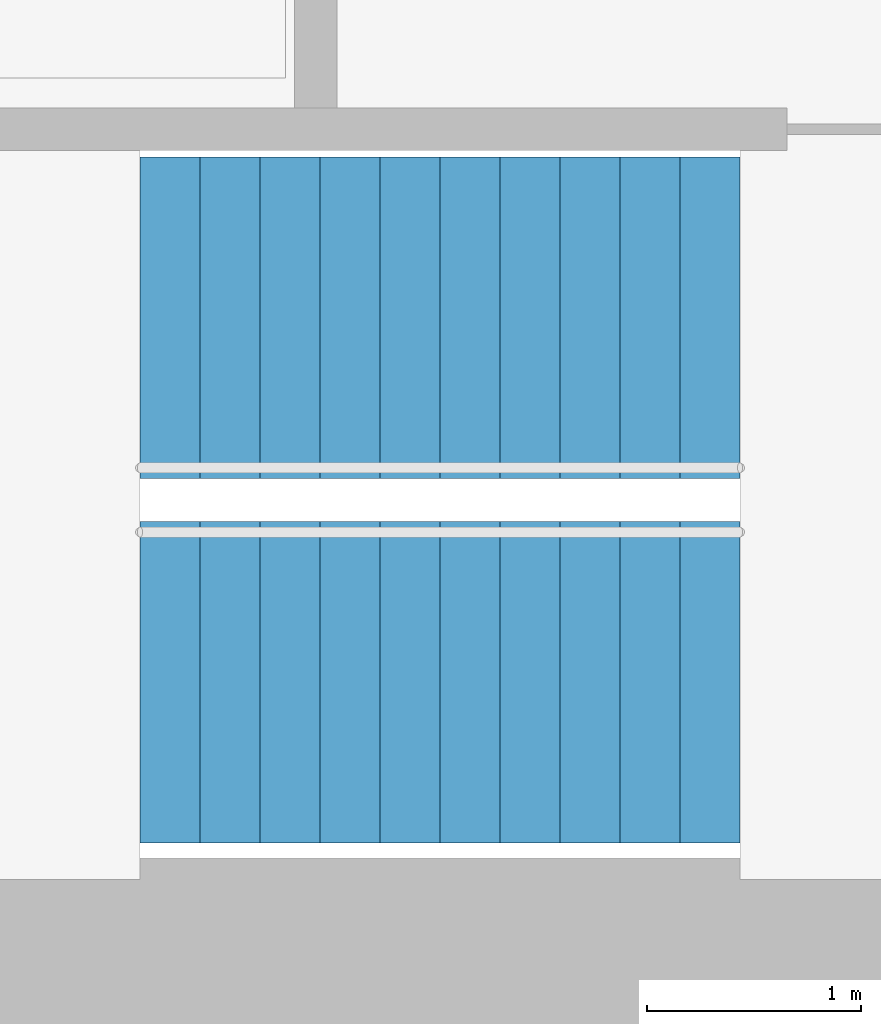
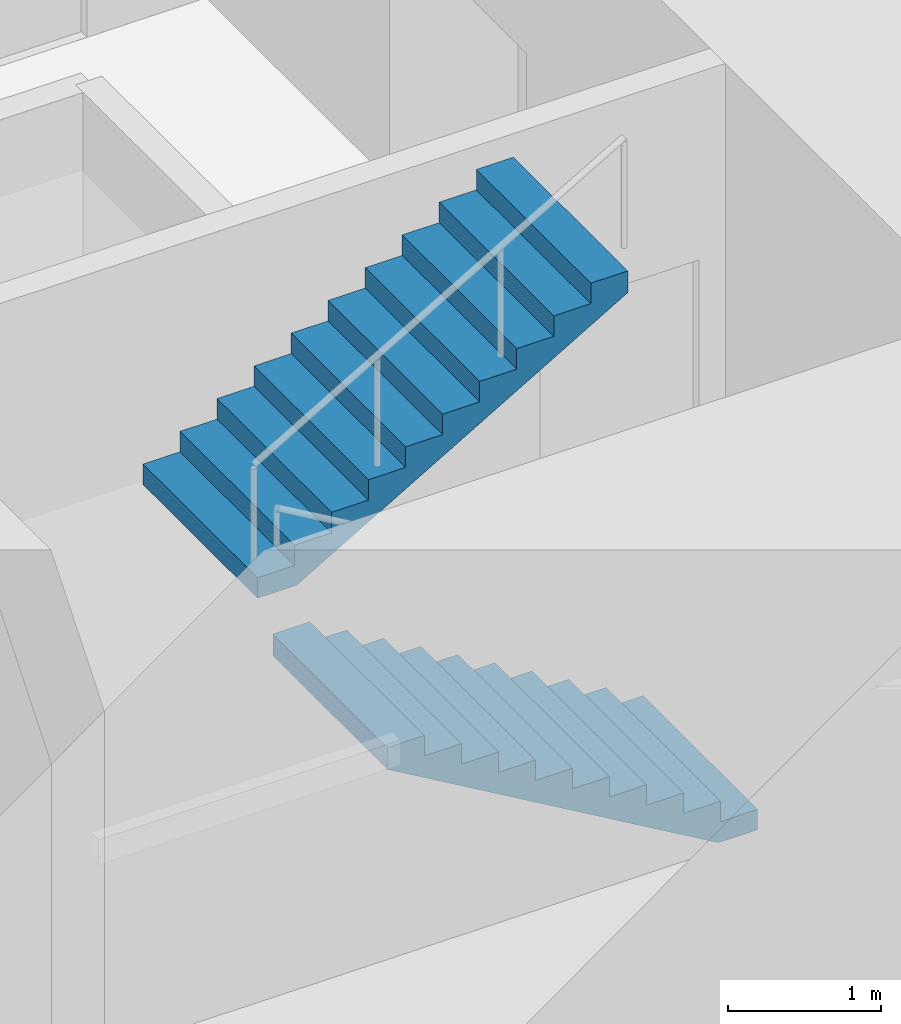
# One storey, part 15 of 17: 2 stair flights, 1 element without a shape of its own.
"""IFC4 building model written with IfcOpenShell, lengths in metres."""

import ifcopenshell
import ifcopenshell.guid

model = None  # the IFC model being written
_history = None  # IfcOwnerHistory: only IFC2X3 demands one
_inside = {}  # id of a spatial element -> (the spatial element, [elements in it])
_under = {}  # id of a project, library or spatial element -> (it, [spatial elements below it])
_declared = {}  # id of a project -> (the project, [libraries it declares])
_typed = {}  # id of a type object -> (the type object, [elements of that type])
_made_of = {}  # id of a material, layer set ... -> (it, [elements and type objects made of it])


def new_model(schema):
    """Start an empty IFC model of exactly this schema.

    Asked for "IFC4X3", IfcOpenShell would pick the latest addendum, in which some entities
    have other attributes; the version numbers below select the first issue.
    IFC2X3 requires an IfcOwnerHistory on every rooted entity: one is made here for all.
    """
    global model, _history
    if schema == "IFC4X3":
        model = ifcopenshell.file(schema_version=(4, 3, 0, 0))
    else:
        model = ifcopenshell.file(schema=schema)
    _inside.clear()
    _under.clear()
    _declared.clear()
    _typed.clear()
    _made_of.clear()
    _history = None
    if model.schema == "IFC2X3":
        org = make("IfcOrganization", Name="unknown")
        user = make(
            "IfcPersonAndOrganization",
            ThePerson=make("IfcPerson", FamilyName="unknown"),
            TheOrganization=org,
        )
        app = make(
            "IfcApplication",
            ApplicationDeveloper=org,
            Version="unknown",
            ApplicationFullName="unknown",
            ApplicationIdentifier="unknown",
        )
        _history = make(
            "IfcOwnerHistory",
            OwningUser=user,
            OwningApplication=app,
            ChangeAction="ADDED",
            CreationDate=0,
        )
    return model


def make(cls, **values):
    """One entity of the class cls with the attributes given. An attribute that is None is left unset."""
    return model.create_entity(
        cls, **{name: value for name, value in values.items() if value is not None}
    )


def rooted(cls, **values):
    """An entity with a GlobalId (a new one), such as an element, a storey or a relation."""
    return make(cls, GlobalId=ifcopenshell.guid.new(), OwnerHistory=_history, **values)


def si_unit(unit_type, name, prefix=None):
    """IfcSIUnit, for example si_unit("LENGTHUNIT", "METRE", prefix="MILLI")."""
    return make("IfcSIUnit", UnitType=unit_type, Prefix=prefix, Name=name)


def assignment(units):
    """IfcUnitAssignment: the units of a project."""
    return None if units is None else make("IfcUnitAssignment", Units=units)


def point(xyz):
    """IfcCartesianPoint."""
    return None if xyz is None else make("IfcCartesianPoint", Coordinates=xyz)


def direction(xyz):
    """IfcDirection."""
    return None if xyz is None else make("IfcDirection", DirectionRatios=xyz)


def frame(location, z_axis=None, x_axis=None):
    """IfcAxis2Placement3D, a coordinate frame: its origin and axes. An axis left out is left unset."""
    return make(
        "IfcAxis2Placement3D",
        Location=point(location),
        Axis=direction(z_axis),
        RefDirection=direction(x_axis),
    )


def origin():
    """The frame at (0, 0, 0) with its axes left unset."""
    return frame((0.0, 0.0, 0.0))


def place(relative_to, where):
    """IfcLocalPlacement: puts the frame where relative to a parent placement (None: the world)."""
    return make(
        "IfcLocalPlacement", PlacementRelTo=relative_to, RelativePlacement=where
    )


def context(
    kind, dimensions, precision=None, world=None, true_north=None, identifier=None
):
    """IfcGeometricRepresentationContext, for example the 3D "Model" context."""
    return make(
        "IfcGeometricRepresentationContext",
        ContextIdentifier=identifier,
        ContextType=kind,
        CoordinateSpaceDimension=dimensions,
        Precision=precision,
        WorldCoordinateSystem=world,
        TrueNorth=true_north,
    )


def subcontext(parent, identifier, kind, view, scale=None):
    """IfcGeometricRepresentationSubContext, for example "Body" below "Model"."""
    return make(
        "IfcGeometricRepresentationSubContext",
        ContextIdentifier=identifier,
        ContextType=kind,
        ParentContext=parent,
        TargetScale=scale,
        TargetView=view,
    )


def project(units=None, contexts=None):
    """IfcProject with its units and contexts."""
    return rooted(
        "IfcProject",
        Name="project",
        RepresentationContexts=contexts,
        UnitsInContext=assignment(units),
    )


def spatial(cls, under=None, at=None, **own):
    """A site, building, storey or space (cls), placed at a placement, below another one or the project."""
    s = rooted(cls, ObjectPlacement=at, **own)
    if under is not None:
        _under.setdefault(under.id(), (under, []))[1].append(s)
    return s


def point_list(points):
    """IfcCartesianPointList2D or 3D."""
    cls = (
        "IfcCartesianPointList2D" if len(points[0]) == 2 else "IfcCartesianPointList3D"
    )
    return make(cls, CoordList=points)


def triangles(points, corners, closed=None, point_numbers=None):
    """IfcTriangulatedFaceSet: each triangle names its three corners, points numbered from 1."""
    return make(
        "IfcTriangulatedFaceSet",
        Coordinates=point_list(points),
        Closed=closed,
        CoordIndex=corners,
        PnIndex=point_numbers,
    )


def shape(context_of_items, identifier, shape_type, items):
    """IfcShapeRepresentation: the items that make up one representation, for example the "Body"."""
    return make(
        "IfcShapeRepresentation",
        ContextOfItems=context_of_items,
        RepresentationIdentifier=identifier,
        RepresentationType=shape_type,
        Items=items,
    )


def material(Name=None, Category=None):
    """IfcMaterial."""
    return make("IfcMaterial", Name=Name, Category=Category)


def made_of(thing, what):
    """Note that an element or type object is made of a material, layer set ...; save() writes the relation."""
    if what is not None:
        _made_of.setdefault(what.id(), (what, []))[1].append(thing)
    return thing


def type_object(cls, material=None, **own):
    """A type object (cls), such as IfcWallType, which elements share."""
    return made_of(rooted(cls, **own), material)


def element(
    cls,
    number,
    at=None,
    inside=None,
    cuts=None,
    type_object=None,
    material=None,
    context=None,
    identifier="Body",
    shape_type=None,
    held_by="IfcProductDefinitionShape",
    body=None,
    shapes=None,
    **own,
):
    """One element of the class cls, such as IfcWall. Its Tag is "e" and its number.

    at: its placement. inside: the storey or other place that contains it. cuts: it is an
    opening in that element (IfcRelVoidsElement). A single representation is given by context,
    identifier, shape_type and body (its items); several are given by shapes. held_by: the class
    of the entity that holds the representations. save() writes the other relations.
    """
    e = rooted(cls, Tag="e%d" % number, ObjectPlacement=at, **own)
    if body is not None:
        shapes = [shape(context, identifier, shape_type, body)]
    if shapes is not None:
        e.Representation = make(held_by, Representations=shapes)
    if inside is not None:
        _inside.setdefault(inside.id(), (inside, []))[1].append(e)
    if cuts is not None:
        rooted(
            "IfcRelVoidsElement", RelatingBuildingElement=cuts, RelatedOpeningElement=e
        )
    if type_object is not None:
        _typed.setdefault(type_object.id(), (type_object, []))[1].append(e)
    return made_of(e, material)


def aggregate(whole, parts):
    """IfcRelAggregates: a whole, such as a stair, and the parts it consists of."""
    return rooted("IfcRelAggregates", RelatingObject=whole, RelatedObjects=parts)


def save(model, path):
    """Write the relations noted so far, then the file.

    IfcRelAggregates (storeys below a building ...), IfcRelContainedInSpatialStructure (elements
    in a storey), IfcRelDefinesByType, IfcRelAssociatesMaterial and IfcRelDeclares: one each for
    every whole, place, type object, material and project.
    """
    for whole, parts in _under.values():
        aggregate(whole, parts)
    for where, things in _inside.values():
        rooted(
            "IfcRelContainedInSpatialStructure",
            RelatedElements=things,
            RelatingStructure=where,
        )
    for kind, things in _typed.values():
        rooted("IfcRelDefinesByType", RelatedObjects=things, RelatingType=kind)
    for what, things in _made_of.values():
        rooted("IfcRelAssociatesMaterial", RelatedObjects=things, RelatingMaterial=what)
    for by, libraries in _declared.values():
        rooted("IfcRelDeclares", RelatingContext=by, RelatedDefinitions=libraries)
    model.write(path)


model = new_model("IFC4")

# Units and contexts
model_context = context("Model", 3, precision=1e-05, world=origin(), true_north=direction((0.0, 1.0)))
body_context = subcontext(model_context, "Body", "Model", "MODEL_VIEW")
ifc_project = project(units=[si_unit("LENGTHUNIT", "METRE"), si_unit("AREAUNIT", "SQUARE_METRE"), si_unit("VOLUMEUNIT", "CUBIC_METRE"), si_unit("PLANEANGLEUNIT", "RADIAN"), si_unit("MASSUNIT", "GRAM", prefix="KILO")], contexts=[model_context])

# Site, building, storey
site_placement = place(None, origin())
site = spatial("IfcSite", under=ifc_project, at=site_placement, CompositionType="ELEMENT")
building_placement = place(site_placement, origin())
building = spatial("IfcBuilding", under=site, at=building_placement, Name="Lantaw Convention Tower", CompositionType="ELEMENT")
storey_placement = place(building_placement, frame((0.0, 0.0, 69.39990234375)))
storey = spatial("IfcBuildingStorey", under=building, at=storey_placement, Name="L15", CompositionType="ELEMENT", Elevation=69.39990234375)

# Stair, stair flights
ifc_material = material(Name="Concrete C35/45", Category="concrete")
stair_type = type_object("IfcStairType", Name="Exit stair 1500 riser 163.64 in 2 flights", PredefinedType="HALF_TURN_STAIR", material=ifc_material)
stair_placement = place(storey_placement, origin())
stair = element("IfcStair", 1, at=stair_placement, inside=storey, type_object=stair_type, Name="Exit stair S2 L15", PredefinedType="HALF_TURN_STAIR")
stair_flight_type = type_object("IfcStairFlightType", Name="Stair flight 1500 riser 163.64", PredefinedType="STRAIGHT", material=ifc_material)
stair_flight_1_placement = place(storey_placement, frame((10.580078125, -5.97998046875, 0.0), z_axis=(0.0, 0.0, 1.0), x_axis=(-1.0, 0.0, 0.0)))
stair_flight_1 = element("IfcStairFlight", 2, at=stair_flight_1_placement, type_object=stair_flight_type, Name="S2 flight 1", NumberOfRisers=11, NumberOfTreads=10, PredefinedType="STRAIGHT", RiserHeight=0.163636364, TreadLength=0.28, context=body_context, shape_type="Tessellation", body=[
    triangles([(0.0, 0.75, 0.0), (0.0, 0.75, 0.163636364), (0.28, 0.75, 0.0), (0.28, 0.75, 0.163636364), (0.28, 0.75, 0.327272728), (0.2970904571225277, 0.75, 0.0), (0.2970904571225277, 0.75, 0.327272728), (0.56, 0.75, 0.1536484344906131), (0.56, 0.75, 0.327272728), (0.56, 0.75, 0.490909092), (0.8400000000000001, 0.75, 0.3172847984906131), (0.8400000000000001, 0.75, 0.490909092), (0.8400000000000001, 0.75, 0.654545456), (1.12, 0.75, 0.4809211624906131), (1.12, 0.75, 0.654545456), (1.12, 0.75, 0.8181818200000001), (1.4000000000000001, 0.75, 0.6445575264906132), (1.4000000000000001, 0.75, 0.8181818200000001), (1.4000000000000001, 0.75, 0.981818184), (1.6800000000000002, 0.75, 0.8081938904906131), (1.6800000000000002, 0.75, 0.981818184), (1.6800000000000002, 0.75, 1.145454548), (1.9600000000000002, 0.75, 0.9718302544906131), (1.9600000000000002, 0.75, 1.145454548), (1.9600000000000002, 0.75, 1.309090912), (2.24, 0.75, 1.135466618490613), (2.24, 0.75, 1.309090912), (2.24, 0.75, 1.472727276), (2.5200000000000005, 0.75, 1.2991029824906133), (2.5200000000000005, 0.75, 1.472727276), (2.5200000000000005, 0.75, 1.6363636400000001), (2.8000000000000003, 0.75, 1.462739346490613), (2.8000000000000003, 0.75, 1.6363636400000001), (0.0, -0.75, 0.0), (0.0, -0.75, 0.163636364), (0.28, -0.75, 0.0), (0.28, -0.75, 0.163636364), (0.28, -0.75, 0.327272728), (0.2970904571225277, -0.75, 0.0), (0.2970904571225277, -0.75, 0.327272728), (0.56, -0.75, 0.1536484344906131), (0.56, -0.75, 0.327272728), (0.56, -0.75, 0.490909092), (0.8400000000000001, -0.75, 0.3172847984906131), (0.8400000000000001, -0.75, 0.490909092), (0.8400000000000001, -0.75, 0.654545456), (1.12, -0.75, 0.4809211624906131), (1.12, -0.75, 0.654545456), (1.12, -0.75, 0.8181818200000001), (1.4000000000000001, -0.75, 0.6445575264906132), (1.4000000000000001, -0.75, 0.8181818200000001), (1.4000000000000001, -0.75, 0.981818184), (1.6800000000000002, -0.75, 0.8081938904906131), (1.6800000000000002, -0.75, 0.981818184), (1.6800000000000002, -0.75, 1.145454548), (1.9600000000000002, -0.75, 0.9718302544906131), (1.9600000000000002, -0.75, 1.145454548), (1.9600000000000002, -0.75, 1.309090912), (2.24, -0.75, 1.135466618490613), (2.24, -0.75, 1.309090912), (2.24, -0.75, 1.472727276), (2.5200000000000005, -0.75, 1.2991029824906133), (2.5200000000000005, -0.75, 1.472727276), (2.5200000000000005, -0.75, 1.6363636400000001), (2.8000000000000003, -0.75, 1.462739346490613), (2.8000000000000003, -0.75, 1.6363636400000001), (0.0, 0.15000000000000002, 0.163636364), (0.0, 0.15000000000000002, 0.0), (0.0, 0.0, 0.163636364), (0.0, 0.0, 0.0), (0.0, -0.15000000000000002, 0.163636364), (0.0, -0.15000000000000002, 0.0), (0.28, 0.15000000000000002, 0.327272728), (0.28, 0.15000000000000002, 0.163636364), (0.28, 0.0, 0.327272728), (0.28, 0.0, 0.163636364), (0.28, -0.15000000000000002, 0.327272728), (0.28, -0.15000000000000002, 0.163636364), (0.56, 0.15000000000000002, 0.490909092), (0.56, 0.15000000000000002, 0.327272728), (0.56, 0.0, 0.490909092), (0.56, 0.0, 0.327272728), (0.56, -0.15000000000000002, 0.490909092), (0.56, -0.15000000000000002, 0.327272728), (0.8400000000000001, 0.15000000000000002, 0.654545456), (0.8400000000000001, 0.15000000000000002, 0.490909092), (0.8400000000000001, 0.0, 0.654545456), (0.8400000000000001, 0.0, 0.490909092), (0.8400000000000001, -0.15000000000000002, 0.654545456), (0.8400000000000001, -0.15000000000000002, 0.490909092), (1.12, 0.15000000000000002, 0.8181818200000001), (1.12, 0.15000000000000002, 0.654545456), (1.12, 0.0, 0.8181818200000001), (1.12, 0.0, 0.654545456), (1.12, -0.15000000000000002, 0.8181818200000001), (1.12, -0.15000000000000002, 0.654545456), (1.4000000000000001, 0.15000000000000002, 0.981818184), (1.4000000000000001, 0.15000000000000002, 0.8181818200000001), (1.4000000000000001, 0.0, 0.981818184), (1.4000000000000001, 0.0, 0.8181818200000001), (1.4000000000000001, -0.15000000000000002, 0.981818184), (1.4000000000000001, -0.15000000000000002, 0.8181818200000001), (1.6800000000000002, 0.15000000000000002, 1.145454548), (1.6800000000000002, 0.15000000000000002, 0.981818184), (1.6800000000000002, 0.0, 1.145454548), (1.6800000000000002, 0.0, 0.981818184), (1.6800000000000002, -0.15000000000000002, 1.145454548), (1.6800000000000002, -0.15000000000000002, 0.981818184), (1.9600000000000002, 0.15000000000000002, 1.309090912), (1.9600000000000002, 0.15000000000000002, 1.145454548), (1.9600000000000002, 0.0, 1.309090912), (1.9600000000000002, 0.0, 1.145454548), (1.9600000000000002, -0.15000000000000002, 1.309090912), (1.9600000000000002, -0.15000000000000002, 1.145454548), (2.24, 0.15000000000000002, 1.472727276), (2.24, 0.15000000000000002, 1.309090912), (2.24, 0.0, 1.472727276), (2.24, 0.0, 1.309090912), (2.24, -0.15000000000000002, 1.472727276), (2.24, -0.15000000000000002, 1.309090912), (2.5200000000000005, 0.15000000000000002, 1.6363636400000001), (2.5200000000000005, 0.15000000000000002, 1.472727276), (2.5200000000000005, 0.0, 1.6363636400000001), (2.5200000000000005, 0.0, 1.472727276), (2.5200000000000005, -0.15000000000000002, 1.6363636400000001), (2.5200000000000005, -0.15000000000000002, 1.472727276), (0.2970904571225277, 0.15000000000000002, 0.327272728), (0.2970904571225277, 0.0, 0.327272728), (0.2970904571225277, -0.15000000000000002, 0.327272728), (2.8000000000000003, 0.15000000000000002, 1.6363636400000001), (2.8000000000000003, 0.0, 1.6363636400000001), (2.8000000000000003, -0.15000000000000002, 1.6363636400000001), (2.8000000000000003, 0.15000000000000002, 1.462739346490613), (2.8000000000000003, 0.0, 1.462739346490613), (2.8000000000000003, -0.15000000000000002, 1.462739346490613), (2.5200000000000005, 0.15000000000000002, 1.2991029824906133), (2.5200000000000005, 0.0, 1.2991029824906133), (2.5200000000000005, -0.15000000000000002, 1.2991029824906133), (2.24, 0.15000000000000002, 1.135466618490613), (2.24, 0.0, 1.135466618490613), (2.24, -0.15000000000000002, 1.135466618490613), (1.9600000000000002, 0.15000000000000002, 0.9718302544906131), (1.9600000000000002, 0.0, 0.9718302544906131), (1.9600000000000002, -0.15000000000000002, 0.9718302544906131), (1.6800000000000002, 0.15000000000000002, 0.8081938904906131), (1.6800000000000002, 0.0, 0.8081938904906131), (1.6800000000000002, -0.15000000000000002, 0.8081938904906131), (1.4000000000000001, 0.15000000000000002, 0.6445575264906132), (1.4000000000000001, 0.0, 0.6445575264906132), (1.4000000000000001, -0.15000000000000002, 0.6445575264906132), (1.12, 0.15000000000000002, 0.4809211624906131), (1.12, 0.0, 0.4809211624906131), (1.12, -0.15000000000000002, 0.4809211624906131), (0.8400000000000001, 0.15000000000000002, 0.3172847984906131), (0.8400000000000001, 0.0, 0.3172847984906131), (0.8400000000000001, -0.15000000000000002, 0.3172847984906131), (0.56, 0.15000000000000002, 0.1536484344906131), (0.56, 0.0, 0.1536484344906131), (0.56, -0.15000000000000002, 0.1536484344906131), (0.2970904571225277, 0.15000000000000002, 0.0), (0.2970904571225277, 0.0, 0.0), (0.2970904571225277, -0.15000000000000002, 0.0), (0.28, 0.15000000000000002, 0.0), (0.28, 0.0, 0.0), (0.28, -0.15000000000000002, 0.0)], [[1, 4, 3], [1, 2, 4], [3, 4, 6], [4, 7, 6], [4, 5, 7], [6, 9, 8], [6, 7, 9], [8, 9, 11], [9, 12, 11], [9, 10, 12], [11, 12, 14], [12, 15, 14], [12, 13, 15], [14, 15, 17], [15, 18, 17], [15, 16, 18], [17, 18, 20], [18, 21, 20], [18, 19, 21], [20, 21, 23], [21, 24, 23], [21, 22, 24], [23, 24, 26], [24, 27, 26], [24, 25, 27], [26, 27, 29], [27, 30, 29], [27, 28, 30], [29, 30, 32], [30, 33, 32], [30, 31, 33], [34, 36, 37], [34, 37, 35], [36, 39, 37], [37, 39, 40], [37, 40, 38], [39, 41, 42], [39, 42, 40], [41, 44, 42], [42, 44, 45], [42, 45, 43], [44, 47, 45], [45, 47, 48], [45, 48, 46], [47, 50, 48], [48, 50, 51], [48, 51, 49], [50, 53, 51], [51, 53, 54], [51, 54, 52], [53, 56, 54], [54, 56, 57], [54, 57, 55], [56, 59, 57], [57, 59, 60], [57, 60, 58], [59, 62, 60], [60, 62, 63], [60, 63, 61], [62, 65, 63], [63, 65, 66], [63, 66, 64], [1, 67, 2], [1, 68, 67], [68, 69, 67], [68, 70, 69], [70, 71, 69], [70, 72, 71], [72, 35, 71], [72, 34, 35], [4, 73, 5], [4, 74, 73], [74, 75, 73], [74, 76, 75], [76, 77, 75], [76, 78, 77], [78, 38, 77], [78, 37, 38], [9, 79, 10], [9, 80, 79], [80, 81, 79], [80, 82, 81], [82, 83, 81], [82, 84, 83], [84, 43, 83], [84, 42, 43], [12, 85, 13], [12, 86, 85], [86, 87, 85], [86, 88, 87], [88, 89, 87], [88, 90, 89], [90, 46, 89], [90, 45, 46], [15, 91, 16], [15, 92, 91], [92, 93, 91], [92, 94, 93], [94, 95, 93], [94, 96, 95], [96, 49, 95], [96, 48, 49], [18, 97, 19], [18, 98, 97], [98, 99, 97], [98, 100, 99], [100, 101, 99], [100, 102, 101], [102, 52, 101], [102, 51, 52], [21, 103, 22], [21, 104, 103], [104, 105, 103], [104, 106, 105], [106, 107, 105], [106, 108, 107], [108, 55, 107], [108, 54, 55], [24, 109, 25], [24, 110, 109], [110, 111, 109], [110, 112, 111], [112, 113, 111], [112, 114, 113], [114, 58, 113], [114, 57, 58], [27, 115, 28], [27, 116, 115], [116, 117, 115], [116, 118, 117], [118, 119, 117], [118, 120, 119], [120, 61, 119], [120, 60, 61], [30, 121, 31], [30, 122, 121], [122, 123, 121], [122, 124, 123], [124, 125, 123], [124, 126, 125], [126, 64, 125], [126, 63, 64], [2, 74, 4], [2, 67, 74], [67, 76, 74], [67, 69, 76], [69, 78, 76], [69, 71, 78], [71, 37, 78], [71, 35, 37], [5, 127, 7], [5, 73, 127], [73, 128, 127], [73, 75, 128], [75, 129, 128], [75, 77, 129], [77, 40, 129], [77, 38, 40], [7, 80, 9], [7, 127, 80], [127, 82, 80], [127, 128, 82], [128, 84, 82], [128, 129, 84], [129, 42, 84], [129, 40, 42], [10, 86, 12], [10, 79, 86], [79, 88, 86], [79, 81, 88], [81, 90, 88], [81, 83, 90], [83, 45, 90], [83, 43, 45], [13, 92, 15], [13, 85, 92], [85, 94, 92], [85, 87, 94], [87, 96, 94], [87, 89, 96], [89, 48, 96], [89, 46, 48], [16, 98, 18], [16, 91, 98], [91, 100, 98], [91, 93, 100], [93, 102, 100], [93, 95, 102], [95, 51, 102], [95, 49, 51], [19, 104, 21], [19, 97, 104], [97, 106, 104], [97, 99, 106], [99, 108, 106], [99, 101, 108], [101, 54, 108], [101, 52, 54], [22, 110, 24], [22, 103, 110], [103, 112, 110], [103, 105, 112], [105, 114, 112], [105, 107, 114], [107, 57, 114], [107, 55, 57], [25, 116, 27], [25, 109, 116], [109, 118, 116], [109, 111, 118], [111, 120, 118], [111, 113, 120], [113, 60, 120], [113, 58, 60], [28, 122, 30], [28, 115, 122], [115, 124, 122], [115, 117, 124], [117, 126, 124], [117, 119, 126], [119, 63, 126], [119, 61, 63], [31, 130, 33], [31, 121, 130], [121, 131, 130], [121, 123, 131], [123, 132, 131], [123, 125, 132], [125, 66, 132], [125, 64, 66], [33, 133, 32], [33, 130, 133], [130, 134, 133], [130, 131, 134], [131, 135, 134], [131, 132, 135], [132, 65, 135], [132, 66, 65], [32, 136, 29], [32, 133, 136], [133, 137, 136], [133, 134, 137], [134, 138, 137], [134, 135, 138], [135, 62, 138], [135, 65, 62], [29, 139, 26], [29, 136, 139], [136, 140, 139], [136, 137, 140], [137, 141, 140], [137, 138, 141], [138, 59, 141], [138, 62, 59], [26, 142, 23], [26, 139, 142], [139, 143, 142], [139, 140, 143], [140, 144, 143], [140, 141, 144], [141, 56, 144], [141, 59, 56], [23, 145, 20], [23, 142, 145], [142, 146, 145], [142, 143, 146], [143, 147, 146], [143, 144, 147], [144, 53, 147], [144, 56, 53], [20, 148, 17], [20, 145, 148], [145, 149, 148], [145, 146, 149], [146, 150, 149], [146, 147, 150], [147, 50, 150], [147, 53, 50], [17, 151, 14], [17, 148, 151], [148, 152, 151], [148, 149, 152], [149, 153, 152], [149, 150, 153], [150, 47, 153], [150, 50, 47], [14, 154, 11], [14, 151, 154], [151, 155, 154], [151, 152, 155], [152, 156, 155], [152, 153, 156], [153, 44, 156], [153, 47, 44], [11, 157, 8], [11, 154, 157], [154, 158, 157], [154, 155, 158], [155, 159, 158], [155, 156, 159], [156, 41, 159], [156, 44, 41], [8, 160, 6], [8, 157, 160], [157, 161, 160], [157, 158, 161], [158, 162, 161], [158, 159, 162], [159, 39, 162], [159, 41, 39], [6, 163, 3], [6, 160, 163], [160, 164, 163], [160, 161, 164], [161, 165, 164], [161, 162, 165], [162, 36, 165], [162, 39, 36], [3, 68, 1], [3, 163, 68], [163, 70, 68], [163, 164, 70], [164, 72, 70], [164, 165, 72], [165, 34, 72], [165, 36, 34]], closed=True),
])
stair_flight_2_placement = place(storey_placement, frame((7.780029296875, -4.280029296875, 1.800048828125), z_axis=(0.0, 0.0, 1.0), x_axis=(1.0, 0.0, 0.0)))
stair_flight_2 = element("IfcStairFlight", 3, at=stair_flight_2_placement, type_object=stair_flight_type, Name="S2 flight 2", NumberOfRisers=11, NumberOfTreads=10, PredefinedType="STRAIGHT", RiserHeight=0.163636364, TreadLength=0.28, context=body_context, shape_type="Tessellation", body=[
    triangles([(0.0, 0.75, 0.0), (0.0, 0.75, 0.163636364), (0.28, 0.75, 0.0), (0.28, 0.75, 0.163636364), (0.28, 0.75, 0.327272728), (0.2970904571225277, 0.75, 0.0), (0.2970904571225277, 0.75, 0.327272728), (0.56, 0.75, 0.1536484344906131), (0.56, 0.75, 0.327272728), (0.56, 0.75, 0.490909092), (0.8400000000000001, 0.75, 0.3172847984906131), (0.8400000000000001, 0.75, 0.490909092), (0.8400000000000001, 0.75, 0.654545456), (1.12, 0.75, 0.4809211624906131), (1.12, 0.75, 0.654545456), (1.12, 0.75, 0.8181818200000001), (1.4000000000000001, 0.75, 0.6445575264906132), (1.4000000000000001, 0.75, 0.8181818200000001), (1.4000000000000001, 0.75, 0.981818184), (1.6800000000000002, 0.75, 0.8081938904906131), (1.6800000000000002, 0.75, 0.981818184), (1.6800000000000002, 0.75, 1.145454548), (1.9600000000000002, 0.75, 0.9718302544906131), (1.9600000000000002, 0.75, 1.145454548), (1.9600000000000002, 0.75, 1.309090912), (2.24, 0.75, 1.135466618490613), (2.24, 0.75, 1.309090912), (2.24, 0.75, 1.472727276), (2.5200000000000005, 0.75, 1.2991029824906133), (2.5200000000000005, 0.75, 1.472727276), (2.5200000000000005, 0.75, 1.6363636400000001), (2.8000000000000003, 0.75, 1.462739346490613), (2.8000000000000003, 0.75, 1.6363636400000001), (0.0, -0.75, 0.0), (0.0, -0.75, 0.163636364), (0.28, -0.75, 0.0), (0.28, -0.75, 0.163636364), (0.28, -0.75, 0.327272728), (0.2970904571225277, -0.75, 0.0), (0.2970904571225277, -0.75, 0.327272728), (0.56, -0.75, 0.1536484344906131), (0.56, -0.75, 0.327272728), (0.56, -0.75, 0.490909092), (0.8400000000000001, -0.75, 0.3172847984906131), (0.8400000000000001, -0.75, 0.490909092), (0.8400000000000001, -0.75, 0.654545456), (1.12, -0.75, 0.4809211624906131), (1.12, -0.75, 0.654545456), (1.12, -0.75, 0.8181818200000001), (1.4000000000000001, -0.75, 0.6445575264906132), (1.4000000000000001, -0.75, 0.8181818200000001), (1.4000000000000001, -0.75, 0.981818184), (1.6800000000000002, -0.75, 0.8081938904906131), (1.6800000000000002, -0.75, 0.981818184), (1.6800000000000002, -0.75, 1.145454548), (1.9600000000000002, -0.75, 0.9718302544906131), (1.9600000000000002, -0.75, 1.145454548), (1.9600000000000002, -0.75, 1.309090912), (2.24, -0.75, 1.135466618490613), (2.24, -0.75, 1.309090912), (2.24, -0.75, 1.472727276), (2.5200000000000005, -0.75, 1.2991029824906133), (2.5200000000000005, -0.75, 1.472727276), (2.5200000000000005, -0.75, 1.6363636400000001), (2.8000000000000003, -0.75, 1.462739346490613), (2.8000000000000003, -0.75, 1.6363636400000001), (0.0, 0.15000000000000002, 0.163636364), (0.0, 0.15000000000000002, 0.0), (0.0, 0.0, 0.163636364), (0.0, 0.0, 0.0), (0.0, -0.15000000000000002, 0.163636364), (0.0, -0.15000000000000002, 0.0), (0.28, 0.15000000000000002, 0.327272728), (0.28, 0.15000000000000002, 0.163636364), (0.28, 0.0, 0.327272728), (0.28, 0.0, 0.163636364), (0.28, -0.15000000000000002, 0.327272728), (0.28, -0.15000000000000002, 0.163636364), (0.56, 0.15000000000000002, 0.490909092), (0.56, 0.15000000000000002, 0.327272728), (0.56, 0.0, 0.490909092), (0.56, 0.0, 0.327272728), (0.56, -0.15000000000000002, 0.490909092), (0.56, -0.15000000000000002, 0.327272728), (0.8400000000000001, 0.15000000000000002, 0.654545456), (0.8400000000000001, 0.15000000000000002, 0.490909092), (0.8400000000000001, 0.0, 0.654545456), (0.8400000000000001, 0.0, 0.490909092), (0.8400000000000001, -0.15000000000000002, 0.654545456), (0.8400000000000001, -0.15000000000000002, 0.490909092), (1.12, 0.15000000000000002, 0.8181818200000001), (1.12, 0.15000000000000002, 0.654545456), (1.12, 0.0, 0.8181818200000001), (1.12, 0.0, 0.654545456), (1.12, -0.15000000000000002, 0.8181818200000001), (1.12, -0.15000000000000002, 0.654545456), (1.4000000000000001, 0.15000000000000002, 0.981818184), (1.4000000000000001, 0.15000000000000002, 0.8181818200000001), (1.4000000000000001, 0.0, 0.981818184), (1.4000000000000001, 0.0, 0.8181818200000001), (1.4000000000000001, -0.15000000000000002, 0.981818184), (1.4000000000000001, -0.15000000000000002, 0.8181818200000001), (1.6800000000000002, 0.15000000000000002, 1.145454548), (1.6800000000000002, 0.15000000000000002, 0.981818184), (1.6800000000000002, 0.0, 1.145454548), (1.6800000000000002, 0.0, 0.981818184), (1.6800000000000002, -0.15000000000000002, 1.145454548), (1.6800000000000002, -0.15000000000000002, 0.981818184), (1.9600000000000002, 0.15000000000000002, 1.309090912), (1.9600000000000002, 0.15000000000000002, 1.145454548), (1.9600000000000002, 0.0, 1.309090912), (1.9600000000000002, 0.0, 1.145454548), (1.9600000000000002, -0.15000000000000002, 1.309090912), (1.9600000000000002, -0.15000000000000002, 1.145454548), (2.24, 0.15000000000000002, 1.472727276), (2.24, 0.15000000000000002, 1.309090912), (2.24, 0.0, 1.472727276), (2.24, 0.0, 1.309090912), (2.24, -0.15000000000000002, 1.472727276), (2.24, -0.15000000000000002, 1.309090912), (2.5200000000000005, 0.15000000000000002, 1.6363636400000001), (2.5200000000000005, 0.15000000000000002, 1.472727276), (2.5200000000000005, 0.0, 1.6363636400000001), (2.5200000000000005, 0.0, 1.472727276), (2.5200000000000005, -0.15000000000000002, 1.6363636400000001), (2.5200000000000005, -0.15000000000000002, 1.472727276), (0.2970904571225277, 0.15000000000000002, 0.327272728), (0.2970904571225277, 0.0, 0.327272728), (0.2970904571225277, -0.15000000000000002, 0.327272728), (2.8000000000000003, 0.15000000000000002, 1.6363636400000001), (2.8000000000000003, 0.0, 1.6363636400000001), (2.8000000000000003, -0.15000000000000002, 1.6363636400000001), (2.8000000000000003, 0.15000000000000002, 1.462739346490613), (2.8000000000000003, 0.0, 1.462739346490613), (2.8000000000000003, -0.15000000000000002, 1.462739346490613), (2.5200000000000005, 0.15000000000000002, 1.2991029824906133), (2.5200000000000005, 0.0, 1.2991029824906133), (2.5200000000000005, -0.15000000000000002, 1.2991029824906133), (2.24, 0.15000000000000002, 1.135466618490613), (2.24, 0.0, 1.135466618490613), (2.24, -0.15000000000000002, 1.135466618490613), (1.9600000000000002, 0.15000000000000002, 0.9718302544906131), (1.9600000000000002, 0.0, 0.9718302544906131), (1.9600000000000002, -0.15000000000000002, 0.9718302544906131), (1.6800000000000002, 0.15000000000000002, 0.8081938904906131), (1.6800000000000002, 0.0, 0.8081938904906131), (1.6800000000000002, -0.15000000000000002, 0.8081938904906131), (1.4000000000000001, 0.15000000000000002, 0.6445575264906132), (1.4000000000000001, 0.0, 0.6445575264906132), (1.4000000000000001, -0.15000000000000002, 0.6445575264906132), (1.12, 0.15000000000000002, 0.4809211624906131), (1.12, 0.0, 0.4809211624906131), (1.12, -0.15000000000000002, 0.4809211624906131), (0.8400000000000001, 0.15000000000000002, 0.3172847984906131), (0.8400000000000001, 0.0, 0.3172847984906131), (0.8400000000000001, -0.15000000000000002, 0.3172847984906131), (0.56, 0.15000000000000002, 0.1536484344906131), (0.56, 0.0, 0.1536484344906131), (0.56, -0.15000000000000002, 0.1536484344906131), (0.2970904571225277, 0.15000000000000002, 0.0), (0.2970904571225277, 0.0, 0.0), (0.2970904571225277, -0.15000000000000002, 0.0), (0.28, 0.15000000000000002, 0.0), (0.28, 0.0, 0.0), (0.28, -0.15000000000000002, 0.0)], [[1, 4, 3], [1, 2, 4], [3, 4, 6], [4, 7, 6], [4, 5, 7], [6, 9, 8], [6, 7, 9], [8, 9, 11], [9, 12, 11], [9, 10, 12], [11, 12, 14], [12, 15, 14], [12, 13, 15], [14, 15, 17], [15, 18, 17], [15, 16, 18], [17, 18, 20], [18, 21, 20], [18, 19, 21], [20, 21, 23], [21, 24, 23], [21, 22, 24], [23, 24, 26], [24, 27, 26], [24, 25, 27], [26, 27, 29], [27, 30, 29], [27, 28, 30], [29, 30, 32], [30, 33, 32], [30, 31, 33], [34, 36, 37], [34, 37, 35], [36, 39, 37], [37, 39, 40], [37, 40, 38], [39, 41, 42], [39, 42, 40], [41, 44, 42], [42, 44, 45], [42, 45, 43], [44, 47, 45], [45, 47, 48], [45, 48, 46], [47, 50, 48], [48, 50, 51], [48, 51, 49], [50, 53, 51], [51, 53, 54], [51, 54, 52], [53, 56, 54], [54, 56, 57], [54, 57, 55], [56, 59, 57], [57, 59, 60], [57, 60, 58], [59, 62, 60], [60, 62, 63], [60, 63, 61], [62, 65, 63], [63, 65, 66], [63, 66, 64], [1, 67, 2], [1, 68, 67], [68, 69, 67], [68, 70, 69], [70, 71, 69], [70, 72, 71], [72, 35, 71], [72, 34, 35], [4, 73, 5], [4, 74, 73], [74, 75, 73], [74, 76, 75], [76, 77, 75], [76, 78, 77], [78, 38, 77], [78, 37, 38], [9, 79, 10], [9, 80, 79], [80, 81, 79], [80, 82, 81], [82, 83, 81], [82, 84, 83], [84, 43, 83], [84, 42, 43], [12, 85, 13], [12, 86, 85], [86, 87, 85], [86, 88, 87], [88, 89, 87], [88, 90, 89], [90, 46, 89], [90, 45, 46], [15, 91, 16], [15, 92, 91], [92, 93, 91], [92, 94, 93], [94, 95, 93], [94, 96, 95], [96, 49, 95], [96, 48, 49], [18, 97, 19], [18, 98, 97], [98, 99, 97], [98, 100, 99], [100, 101, 99], [100, 102, 101], [102, 52, 101], [102, 51, 52], [21, 103, 22], [21, 104, 103], [104, 105, 103], [104, 106, 105], [106, 107, 105], [106, 108, 107], [108, 55, 107], [108, 54, 55], [24, 109, 25], [24, 110, 109], [110, 111, 109], [110, 112, 111], [112, 113, 111], [112, 114, 113], [114, 58, 113], [114, 57, 58], [27, 115, 28], [27, 116, 115], [116, 117, 115], [116, 118, 117], [118, 119, 117], [118, 120, 119], [120, 61, 119], [120, 60, 61], [30, 121, 31], [30, 122, 121], [122, 123, 121], [122, 124, 123], [124, 125, 123], [124, 126, 125], [126, 64, 125], [126, 63, 64], [2, 74, 4], [2, 67, 74], [67, 76, 74], [67, 69, 76], [69, 78, 76], [69, 71, 78], [71, 37, 78], [71, 35, 37], [5, 127, 7], [5, 73, 127], [73, 128, 127], [73, 75, 128], [75, 129, 128], [75, 77, 129], [77, 40, 129], [77, 38, 40], [7, 80, 9], [7, 127, 80], [127, 82, 80], [127, 128, 82], [128, 84, 82], [128, 129, 84], [129, 42, 84], [129, 40, 42], [10, 86, 12], [10, 79, 86], [79, 88, 86], [79, 81, 88], [81, 90, 88], [81, 83, 90], [83, 45, 90], [83, 43, 45], [13, 92, 15], [13, 85, 92], [85, 94, 92], [85, 87, 94], [87, 96, 94], [87, 89, 96], [89, 48, 96], [89, 46, 48], [16, 98, 18], [16, 91, 98], [91, 100, 98], [91, 93, 100], [93, 102, 100], [93, 95, 102], [95, 51, 102], [95, 49, 51], [19, 104, 21], [19, 97, 104], [97, 106, 104], [97, 99, 106], [99, 108, 106], [99, 101, 108], [101, 54, 108], [101, 52, 54], [22, 110, 24], [22, 103, 110], [103, 112, 110], [103, 105, 112], [105, 114, 112], [105, 107, 114], [107, 57, 114], [107, 55, 57], [25, 116, 27], [25, 109, 116], [109, 118, 116], [109, 111, 118], [111, 120, 118], [111, 113, 120], [113, 60, 120], [113, 58, 60], [28, 122, 30], [28, 115, 122], [115, 124, 122], [115, 117, 124], [117, 126, 124], [117, 119, 126], [119, 63, 126], [119, 61, 63], [31, 130, 33], [31, 121, 130], [121, 131, 130], [121, 123, 131], [123, 132, 131], [123, 125, 132], [125, 66, 132], [125, 64, 66], [33, 133, 32], [33, 130, 133], [130, 134, 133], [130, 131, 134], [131, 135, 134], [131, 132, 135], [132, 65, 135], [132, 66, 65], [32, 136, 29], [32, 133, 136], [133, 137, 136], [133, 134, 137], [134, 138, 137], [134, 135, 138], [135, 62, 138], [135, 65, 62], [29, 139, 26], [29, 136, 139], [136, 140, 139], [136, 137, 140], [137, 141, 140], [137, 138, 141], [138, 59, 141], [138, 62, 59], [26, 142, 23], [26, 139, 142], [139, 143, 142], [139, 140, 143], [140, 144, 143], [140, 141, 144], [141, 56, 144], [141, 59, 56], [23, 145, 20], [23, 142, 145], [142, 146, 145], [142, 143, 146], [143, 147, 146], [143, 144, 147], [144, 53, 147], [144, 56, 53], [20, 148, 17], [20, 145, 148], [145, 149, 148], [145, 146, 149], [146, 150, 149], [146, 147, 150], [147, 50, 150], [147, 53, 50], [17, 151, 14], [17, 148, 151], [148, 152, 151], [148, 149, 152], [149, 153, 152], [149, 150, 153], [150, 47, 153], [150, 50, 47], [14, 154, 11], [14, 151, 154], [151, 155, 154], [151, 152, 155], [152, 156, 155], [152, 153, 156], [153, 44, 156], [153, 47, 44], [11, 157, 8], [11, 154, 157], [154, 158, 157], [154, 155, 158], [155, 159, 158], [155, 156, 159], [156, 41, 159], [156, 44, 41], [8, 160, 6], [8, 157, 160], [157, 161, 160], [157, 158, 161], [158, 162, 161], [158, 159, 162], [159, 39, 162], [159, 41, 39], [6, 163, 3], [6, 160, 163], [160, 164, 163], [160, 161, 164], [161, 165, 164], [161, 162, 165], [162, 36, 165], [162, 39, 36], [3, 68, 1], [3, 163, 68], [163, 70, 68], [163, 164, 70], [164, 72, 70], [164, 165, 72], [165, 34, 72], [165, 36, 34]], closed=True),
])
aggregate(stair, [stair_flight_1, stair_flight_2])

save(model, "model.ifc")
